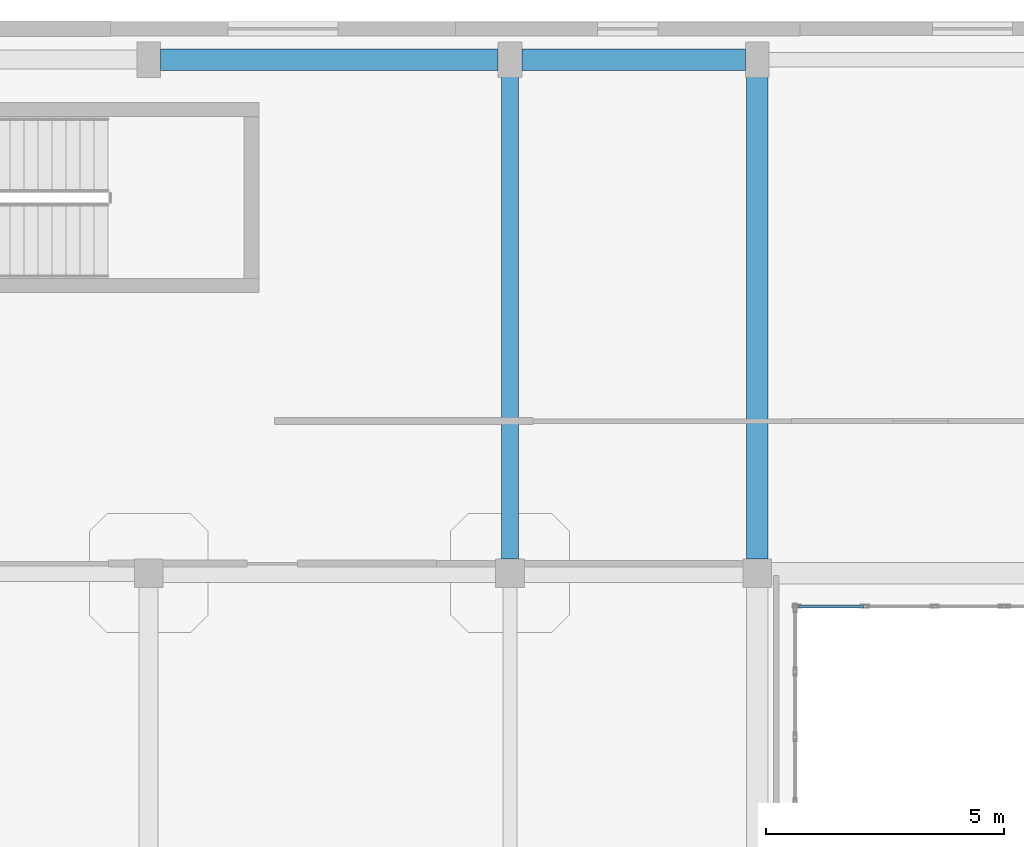
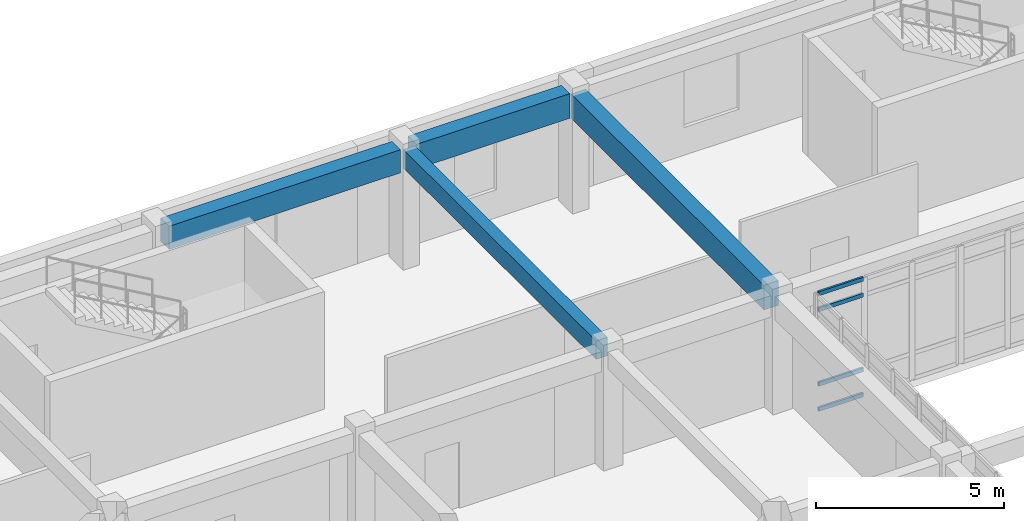
# One storey, part 106 of 146: 4 beams, 4 members, 1 element without a shape of its own.
"""IFC4 building model written with IfcOpenShell, lengths in metres."""

from ifc_helpers import new_model, si_unit, direction, frame, origin, origin_2d, place, context, subcontext, project, spatial, rectangle, hollow_rectangle, extrude, material, layer, layer_set, material_profile, profile_set, type_object, element, aggregate, save


model = new_model("IFC4")

# Units and contexts
model_context = context("Model", 3, precision=1e-05, world=origin(), true_north=direction((0.0, 1.0)))
body_context = subcontext(model_context, "Body", "Model", "MODEL_VIEW")
ifc_project = project(units=[si_unit("LENGTHUNIT", "METRE"), si_unit("AREAUNIT", "SQUARE_METRE"), si_unit("VOLUMEUNIT", "CUBIC_METRE"), si_unit("PLANEANGLEUNIT", "RADIAN"), si_unit("MASSUNIT", "GRAM", prefix="KILO")], contexts=[model_context])

# Site, building, storey
site_placement = place(None, origin())
site = spatial("IfcSite", under=ifc_project, at=site_placement, CompositionType="ELEMENT")
building_placement = place(site_placement, origin())
building = spatial("IfcBuilding", under=site, at=building_placement, Name="Valcora Specialist Clinic", CompositionType="ELEMENT")
storey_placement = place(building_placement, frame((0.0, 0.0, 9.52001953125)))
storey = spatial("IfcBuildingStorey", under=building, at=storey_placement, Name="L02", CompositionType="ELEMENT", Elevation=9.52001953125)

# Beams
ifc_material_1 = material(Name="Concrete C40/50", Category="concrete")
ifc_material_profile_1 = material_profile(ifc_material_1, rectangle(XDim=0.35009765625, YDim=0.60009765625, at=origin_2d()), Name="RC-BM-350X600")
ifc_profile_set_1 = profile_set([ifc_material_profile_1], Name="Concrete C40/50")
beam_type_1 = type_object("IfcBeamType", Name="TY-BM-RC350X600", PredefinedType="BEAM", material=ifc_profile_set_1)
beam_1_placement = place(storey_placement, frame((106.0, 99.5, 3.52001953125), z_axis=(0.0, 1.0, 0.0), x_axis=(-1.0, 0.0, 0.0)))
element("IfcBeam", 1, at=beam_1_placement, inside=storey, type_object=beam_type_1, Name="Beam BM-L02-0756", PredefinedType="BEAM", context=body_context, shape_type="SweptSolid", body=[
    extrude(rectangle(XDim=0.35009765625, YDim=0.60009765625, at=origin_2d()), origin(), (0.0, 0.0, 1.0), 10.25),
])
ifc_material_profile_2 = material_profile(ifc_material_1, rectangle(XDim=0.449951171875, YDim=0.75, at=origin_2d()), Name="RC-BM-450X750")
ifc_profile_set_2 = profile_set([ifc_material_profile_2], Name="Concrete C40/50")
beam_type_2 = type_object("IfcBeamType", Name="TY-BM-RC450X750", PredefinedType="BEAM", material=ifc_profile_set_2)
beam_2_placement = place(storey_placement, frame((98.64990234375, 110.0, 3.445068359375), z_axis=(1.0, 0.0, 0.0), x_axis=(0.0, 1.0, 0.0)))
element("IfcBeam", 2, at=beam_2_placement, inside=storey, type_object=beam_type_2, Name="Beam BM-L02-0731", PredefinedType="BEAM", context=body_context, shape_type="SweptSolid", body=[
    extrude(rectangle(XDim=0.449951171875, YDim=0.75, at=origin_2d()), origin(), (0.0, 0.0, 1.0), 7.10009765625),
])
ifc_material_profile_3 = material_profile(ifc_material_1, rectangle(XDim=0.449951171875, YDim=0.800048828125, at=origin_2d()), Name="RC-BM-450X800")
ifc_profile_set_3 = profile_set([ifc_material_profile_3], Name="Concrete C40/50")
beam_type_3 = type_object("IfcBeamType", Name="TY-BM-RC450X800", PredefinedType="BEAM", material=ifc_profile_set_3)
beam_3_placement = place(storey_placement, frame((106.25, 110.0, 3.419921875), z_axis=(1.0, 0.0, 0.0), x_axis=(0.0, 1.0, 0.0)))
element("IfcBeam", 3, at=beam_3_placement, inside=storey, type_object=beam_type_3, Name="Beam BM-L02-0732", PredefinedType="BEAM", context=body_context, shape_type="SweptSolid", body=[
    extrude(rectangle(XDim=0.449951171875, YDim=0.800048828125, at=origin_2d()), origin(), (0.0, 0.0, 1.0), 4.699951171875),
])
beam_4_placement = place(storey_placement, frame((111.199951171875, 99.5, 3.419921875), z_axis=(0.0, 1.0, 0.0), x_axis=(-1.0, 0.0, 0.0)))
element("IfcBeam", 4, at=beam_4_placement, inside=storey, type_object=beam_type_3, Name="Beam BM-L02-0760", PredefinedType="BEAM", context=body_context, shape_type="SweptSolid", body=[
    extrude(rectangle(XDim=0.449951171875, YDim=0.800048828125, at=origin_2d()), origin(), (0.0, 0.0, 1.0), 10.25),
])

# Curtain wall, members
ifc_material_2 = material(Name="Anodized Bronze Aluminium 6063-T6", Category="aluminium")
ifc_layer = layer(ifc_material_2, 0.175048828125)
ifc_layer_set = layer_set([ifc_layer], Name="Anodized Bronze Aluminium 6063-T6")
curtain_wall_type = type_object("IfcCurtainWallType", Name="TY-CW-CRT15", PredefinedType="NOTDEFINED", material=ifc_layer_set)
curtain_wall_placement = place(storey_placement, origin())
curtain_wall = element("IfcCurtainWall", 5, at=curtain_wall_placement, inside=storey, type_object=curtain_wall_type, Name="Curtain wall CW-L02-113", PredefinedType="NOTDEFINED")
ifc_material_profile_4 = material_profile(ifc_material_2, hollow_rectangle(XDim=0.06494140625, YDim=0.1298828125, WallThickness=0.00390625, at=origin_2d()), Name="AL-TRN-65X130")
ifc_profile_set_4 = profile_set([ifc_material_profile_4], Name="Anodized Bronze Aluminium 6063-T6")
member_type = type_object("IfcMemberType", Name="TY-CWT-65X130", PredefinedType="USERDEFINED", material=ifc_profile_set_4)
member_1_placement = place(storey_placement, frame((113.43408203125, 98.5, 0.032470703125), z_axis=(-1.0, 0.0, 0.0), x_axis=(0.0, -1.0, 0.0)))
member_1 = element("IfcMember", 6, at=member_1_placement, type_object=member_type, Name="CW-CRT-15 transom 3.1", ObjectType="TRANSOM", PredefinedType="USERDEFINED", context=body_context, shape_type="SweptSolid", body=[
    extrude(hollow_rectangle(XDim=0.06494140625, YDim=0.1298828125, WallThickness=0.00390625, at=origin_2d()), origin(), (0.0, 0.0, 1.0), 1.369140625),
])
member_2_placement = place(storey_placement, frame((113.43408203125, 98.5, 0.85009765625), z_axis=(-1.0, 0.0, 0.0), x_axis=(0.0, -1.0, 0.0)))
member_2 = element("IfcMember", 7, at=member_2_placement, type_object=member_type, Name="CW-CRT-15 transom 3.2", ObjectType="TRANSOM", PredefinedType="USERDEFINED", context=body_context, shape_type="SweptSolid", body=[
    extrude(hollow_rectangle(XDim=0.06494140625, YDim=0.1298828125, WallThickness=0.00390625, at=origin_2d()), origin(), (0.0, 0.0, 1.0), 1.369140625),
])
member_3_placement = place(storey_placement, frame((113.43408203125, 98.5, 3.27001953125), z_axis=(-1.0, 0.0, 0.0), x_axis=(0.0, -1.0, 0.0)))
member_3 = element("IfcMember", 8, at=member_3_placement, type_object=member_type, Name="CW-CRT-15 transom 3.3", ObjectType="TRANSOM", PredefinedType="USERDEFINED", context=body_context, shape_type="SweptSolid", body=[
    extrude(hollow_rectangle(XDim=0.06494140625, YDim=0.1298828125, WallThickness=0.00390625, at=origin_2d()), origin(), (0.0, 0.0, 1.0), 1.369140625),
])
member_4_placement = place(storey_placement, frame((113.43408203125, 98.5, 3.78759765625), z_axis=(-1.0, 0.0, 0.0), x_axis=(0.0, -1.0, 0.0)))
member_4 = element("IfcMember", 9, at=member_4_placement, type_object=member_type, Name="CW-CRT-15 transom 3.4", ObjectType="TRANSOM", PredefinedType="USERDEFINED", context=body_context, shape_type="SweptSolid", body=[
    extrude(hollow_rectangle(XDim=0.06494140625, YDim=0.1298828125, WallThickness=0.00390625, at=origin_2d()), origin(), (0.0, 0.0, 1.0), 1.369140625),
])
aggregate(curtain_wall, [member_1, member_2, member_3, member_4])

save(model, "model.ifc")
